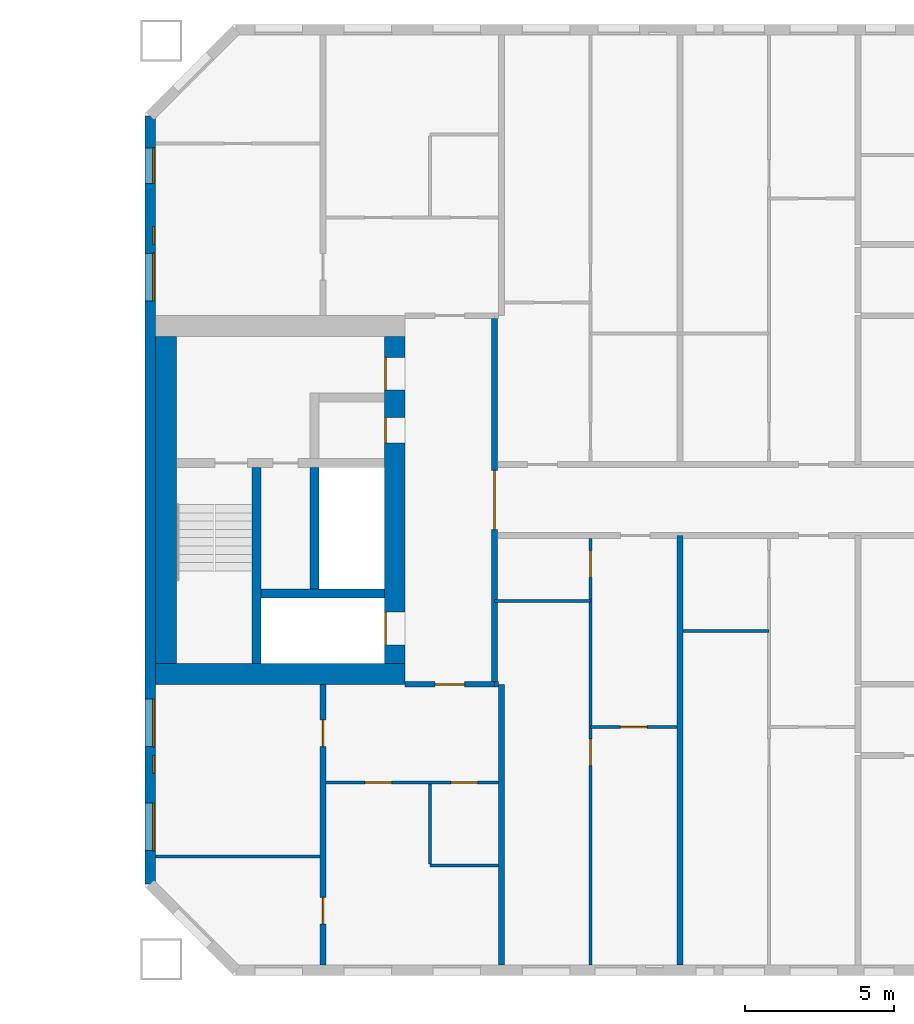
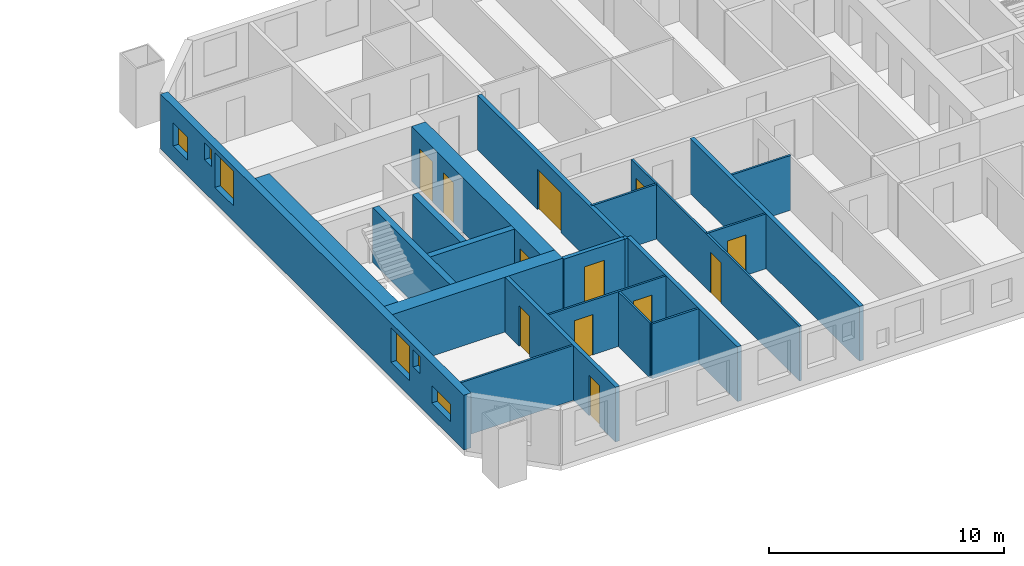
# One storey, part 9 of 17: 21 walls, 12 doors, 6 windows, 18 openings.
"""IFC4 building model written with IfcOpenShell, lengths in metres."""

from ifc_helpers import new_model, si_unit, direction, frame, frame_2d, origin, place, context, subcontext, project, spatial, rectangle, extrude, material, layer, layer_set, type_object, element, fill, save


model = new_model("IFC4")

# Units and contexts
model_context = context("Model", 3, precision=1e-05, world=origin(), true_north=direction((0.0, 1.0)))
body_context = subcontext(model_context, "Body", "Model", "MODEL_VIEW")
ifc_project = project(units=[si_unit("LENGTHUNIT", "METRE"), si_unit("AREAUNIT", "SQUARE_METRE"), si_unit("VOLUMEUNIT", "CUBIC_METRE"), si_unit("PLANEANGLEUNIT", "RADIAN"), si_unit("MASSUNIT", "GRAM", prefix="KILO")], contexts=[model_context])

# Site, building, storey
site_placement = place(None, origin())
site = spatial("IfcSite", under=ifc_project, at=site_placement, CompositionType="ELEMENT")
building_placement = place(site_placement, origin())
building = spatial("IfcBuilding", under=site, at=building_placement, Name="Tuart Gate Housing", CompositionType="ELEMENT")
storey_placement = place(building_placement, frame((0.0, 0.0, 84.0)))
storey = spatial("IfcBuildingStorey", under=building, at=storey_placement, Name="L23", CompositionType="ELEMENT", Elevation=84.0)

# Wall, openings, windows
ifc_material_1 = material(Name="Brick", Category="masonry")
ifc_layer_1 = layer(ifc_material_1, 0.360107421875)
ifc_layer_set_1 = layer_set([ifc_layer_1], Name="Brick pier and spandrel wall 360")
wall_type_1 = type_object("IfcWallType", Name="Brick pier and spandrel wall 360", PredefinedType="STANDARD", material=ifc_layer_set_1)
wall_1_placement = place(storey_placement, frame((131.179931640625, 82.92529296875, 0.0), z_axis=(0.0, 0.0, 1.0), x_axis=(0.0, -1.0, 0.0)))
wall_1 = element("IfcWall", 1, at=wall_1_placement, inside=storey, type_object=wall_type_1, Name="External wall B-W L23", PredefinedType="STANDARD", context=body_context, shape_type="SweptSolid", body=[
    extrude(rectangle(XDim=25.850830078125, YDim=0.360107421875, at=frame_2d((12.92529296875, 0.0))), origin(), (0.0, 0.0, 1.0), 2.85009765625),
])
opening_1_placement = place(wall_1_placement, frame((1.075439453125, 0.0, 0.800048828125)))
opening_1 = element("IfcOpeningElement", 2, at=opening_1_placement, cuts=wall_1, Name="Opening W1N", PredefinedType="OPENING", context=body_context, shape_type="SweptSolid", body=[
    extrude(rectangle(XDim=1.199951171875, YDim=1.199951171875, at=frame_2d((0.60009765625, 0.60009765625))), frame((0.0, 0.18994140625, 0.0), z_axis=(0.0, -1.0, 0.0), x_axis=(1.0, 0.0, 0.0)), (0.0, 0.0, 1.0), 0.380126953125),
])
opening_2_placement = place(wall_1_placement, frame((4.62548828125, 0.0, 0.800048828125)))
opening_2 = element("IfcOpeningElement", 3, at=opening_2_placement, cuts=wall_1, Name="Opening W1", PredefinedType="OPENING", context=body_context, shape_type="SweptSolid", body=[
    extrude(rectangle(XDim=1.60009765625, YDim=1.800048828125, at=frame_2d((0.800048828125, 0.89990234375))), frame((0.0, 0.18994140625, 0.0), z_axis=(0.0, -1.0, 0.0), x_axis=(1.0, 0.0, 0.0)), (0.0, 0.0, 1.0), 0.380126953125),
])
opening_3_placement = place(wall_1_placement, frame((19.62548828125, 0.0, 0.800048828125)))
opening_3 = element("IfcOpeningElement", 4, at=opening_3_placement, cuts=wall_1, Name="Opening W1", PredefinedType="OPENING", context=body_context, shape_type="SweptSolid", body=[
    extrude(rectangle(XDim=1.60009765625, YDim=1.800048828125, at=frame_2d((0.800048828125, 0.89990234375))), frame((0.0, 0.18994140625, 0.0), z_axis=(0.0, -1.0, 0.0), x_axis=(1.0, 0.0, 0.0)), (0.0, 0.0, 1.0), 0.380126953125),
])
opening_4_placement = place(wall_1_placement, frame((21.525390625, 0.0, 1.699951171875)))
opening_4 = element("IfcOpeningElement", 5, at=opening_4_placement, cuts=wall_1, Name="Opening W1W", PredefinedType="OPENING", context=body_context, shape_type="SweptSolid", body=[
    extrude(rectangle(XDim=0.60009765625, YDim=0.89990234375, at=frame_2d((0.300048828125, 0.449951171875))), frame((0.0, 0.18994140625, 0.0), z_axis=(0.0, -1.0, 0.0), x_axis=(1.0, 0.0, 0.0)), (0.0, 0.0, 1.0), 0.380126953125),
])
opening_5_placement = place(wall_1_placement, frame((3.725341796875, 0.0, 1.699951171875)))
opening_5 = element("IfcOpeningElement", 6, at=opening_5_placement, cuts=wall_1, Name="Opening W1W", PredefinedType="OPENING", context=body_context, shape_type="SweptSolid", body=[
    extrude(rectangle(XDim=0.60009765625, YDim=0.89990234375, at=frame_2d((0.300048828125, 0.449951171875))), frame((0.0, 0.18994140625, 0.0), z_axis=(0.0, -1.0, 0.0), x_axis=(1.0, 0.0, 0.0)), (0.0, 0.0, 1.0), 0.380126953125),
])
opening_6_placement = place(wall_1_placement, frame((23.12548828125, 0.0, 0.800048828125)))
opening_6 = element("IfcOpeningElement", 7, at=opening_6_placement, cuts=wall_1, Name="Opening W1R", PredefinedType="OPENING", context=body_context, shape_type="SweptSolid", body=[
    extrude(rectangle(XDim=1.60009765625, YDim=0.89990234375, at=frame_2d((0.800048828125, 0.449951171875))), frame((0.0, 0.18994140625, 0.0), z_axis=(0.0, -1.0, 0.0), x_axis=(1.0, 0.0, 0.0)), (0.0, 0.0, 1.0), 0.380126953125),
])
ifc_material_2 = material(Name="Aluminium frame with clear glass", Category="aluminium")
window_type_1 = type_object("IfcWindowType", Name="Punched window 1200 x 1200", PartitioningType="SINGLE_PANEL", PredefinedType="WINDOW", material=ifc_material_2)
window_1_placement = place(opening_1_placement, origin())
window_1 = element("IfcWindow", 8, at=window_1_placement, inside=storey, type_object=window_type_1, Name="Window W1N", OverallHeight=1.199951171875, OverallWidth=1.199951171875, PartitioningType="SINGLE_PANEL", PredefinedType="WINDOW", context=body_context, shape_type="SweptSolid", body=[
    extrude(rectangle(XDim=1.199951171875, YDim=1.199951171875, at=frame_2d((0.60009765625, 0.60009765625))), frame((0.0, 0.150146484375, 0.0), z_axis=(0.0, -1.0, 0.0), x_axis=(1.0, 0.0, 0.0)), (0.0, 0.0, 1.0), 0.06005859375),
])
fill(opening_1, window_1)
ifc_material_3 = material(Name="Aluminium frame with clear glass", Category="aluminium")
window_type_2 = type_object("IfcWindowType", Name="Punched window 1600 x 1800", PartitioningType="SINGLE_PANEL", PredefinedType="WINDOW", material=ifc_material_3)
window_2_placement = place(opening_2_placement, origin())
window_2 = element("IfcWindow", 9, at=window_2_placement, inside=storey, type_object=window_type_2, Name="Window W1", OverallHeight=1.800048828125, OverallWidth=1.60009765625, PartitioningType="SINGLE_PANEL", PredefinedType="WINDOW", context=body_context, shape_type="SweptSolid", body=[
    extrude(rectangle(XDim=1.60009765625, YDim=1.800048828125, at=frame_2d((0.800048828125, 0.89990234375))), frame((0.0, 0.150146484375, 0.0), z_axis=(0.0, -1.0, 0.0), x_axis=(1.0, 0.0, 0.0)), (0.0, 0.0, 1.0), 0.06005859375),
])
fill(opening_2, window_2)
window_3_placement = place(opening_3_placement, origin())
window_3 = element("IfcWindow", 10, at=window_3_placement, inside=storey, type_object=window_type_2, Name="Window W1", OverallHeight=1.800048828125, OverallWidth=1.60009765625, PartitioningType="SINGLE_PANEL", PredefinedType="WINDOW", context=body_context, shape_type="SweptSolid", body=[
    extrude(rectangle(XDim=1.60009765625, YDim=1.800048828125, at=frame_2d((0.800048828125, 0.89990234375))), frame((0.0, 0.150146484375, 0.0), z_axis=(0.0, -1.0, 0.0), x_axis=(1.0, 0.0, 0.0)), (0.0, 0.0, 1.0), 0.06005859375),
])
fill(opening_3, window_3)
ifc_material_4 = material(Name="Aluminium frame with clear glass", Category="aluminium")
window_type_3 = type_object("IfcWindowType", Name="Punched window 1600 x 900", PartitioningType="SINGLE_PANEL", PredefinedType="WINDOW", material=ifc_material_4)
window_4_placement = place(opening_6_placement, origin())
window_4 = element("IfcWindow", 11, at=window_4_placement, inside=storey, type_object=window_type_3, Name="Window W1R", OverallHeight=0.89990234375, OverallWidth=1.60009765625, PartitioningType="SINGLE_PANEL", PredefinedType="WINDOW", context=body_context, shape_type="SweptSolid", body=[
    extrude(rectangle(XDim=1.60009765625, YDim=0.89990234375, at=frame_2d((0.800048828125, 0.449951171875))), frame((0.0, 0.150146484375, 0.0), z_axis=(0.0, -1.0, 0.0), x_axis=(1.0, 0.0, 0.0)), (0.0, 0.0, 1.0), 0.06005859375),
])
fill(opening_6, window_4)
ifc_material_5 = material(Name="Aluminium frame with clear glass", Category="aluminium")
window_type_4 = type_object("IfcWindowType", Name="Punched window 600 x 900", PartitioningType="SINGLE_PANEL", PredefinedType="WINDOW", material=ifc_material_5)
window_5_placement = place(opening_4_placement, origin())
window_5 = element("IfcWindow", 12, at=window_5_placement, inside=storey, type_object=window_type_4, Name="Window W1W", OverallHeight=0.89990234375, OverallWidth=0.60009765625, PartitioningType="SINGLE_PANEL", PredefinedType="WINDOW", context=body_context, shape_type="SweptSolid", body=[
    extrude(rectangle(XDim=0.60009765625, YDim=0.89990234375, at=frame_2d((0.300048828125, 0.449951171875))), frame((0.0, 0.150146484375, 0.0), z_axis=(0.0, -1.0, 0.0), x_axis=(1.0, 0.0, 0.0)), (0.0, 0.0, 1.0), 0.06005859375),
])
fill(opening_4, window_5)
window_6_placement = place(opening_5_placement, origin())
window_6 = element("IfcWindow", 13, at=window_6_placement, inside=storey, type_object=window_type_4, Name="Window W1W", OverallHeight=0.89990234375, OverallWidth=0.60009765625, PartitioningType="SINGLE_PANEL", PredefinedType="WINDOW", context=body_context, shape_type="SweptSolid", body=[
    extrude(rectangle(XDim=0.60009765625, YDim=0.89990234375, at=frame_2d((0.300048828125, 0.449951171875))), frame((0.0, 0.150146484375, 0.0), z_axis=(0.0, -1.0, 0.0), x_axis=(1.0, 0.0, 0.0)), (0.0, 0.0, 1.0), 0.06005859375),
])
fill(opening_5, window_6)

# Walls
ifc_material_6 = material(Name="Concrete C50", Category="concrete")
ifc_layer_2 = layer(ifc_material_6, 0.300048828125)
ifc_layer_set_2 = layer_set([ifc_layer_2], Name="Core wall 300 C50")
wall_type_2 = type_object("IfcWallType", Name="Core wall 300 C50", PredefinedType="SHEAR", material=ifc_layer_set_2)
wall_2_placement = place(storey_placement, frame((139.06005859375, 66.85009765625, 0.0), z_axis=(0.0, 0.0, 1.0), x_axis=(-1.0, 0.0, 0.0)))
element("IfcWall", 14, at=wall_2_placement, inside=storey, type_object=wall_type_2, Name="Core wall BG.1", PredefinedType="SHEAR", context=body_context, shape_type="SweptSolid", body=[
    extrude(rectangle(XDim=4.150146484375, YDim=0.300048828125, at=frame_2d((2.0751953125, 0.0))), origin(), (0.0, 0.0, 1.0), 2.85009765625),
])
wall_3_placement = place(storey_placement, frame((136.7099609375, 67.0, 0.0), z_axis=(0.0, 0.0, 1.0), x_axis=(0.0, 1.0, 0.0)))
element("IfcWall", 15, at=wall_3_placement, inside=storey, type_object=wall_type_2, Name="Core wall BG.4", PredefinedType="SHEAR", context=body_context, shape_type="SweptSolid", body=[
    extrude(rectangle(XDim=4.10009765625, YDim=0.300048828125, at=frame_2d((2.050048828125, 0.0))), origin(), (0.0, 0.0, 1.0), 2.85009765625),
])
wall_4_placement = place(storey_placement, frame((134.760009765625, 64.5, 0.0), z_axis=(0.0, 0.0, 1.0), x_axis=(0.0, 1.0, 0.0)))
element("IfcWall", 16, at=wall_4_placement, inside=storey, type_object=wall_type_2, Name="Core wall BG.6", PredefinedType="SHEAR", context=body_context, shape_type="SweptSolid", body=[
    extrude(rectangle(XDim=6.60009765625, YDim=0.300048828125, at=frame_2d((3.300048828125, 0.0))), origin(), (0.0, 0.0, 1.0), 2.85009765625),
])

# Wall, openings, doors
ifc_material_7 = material(Name="Concrete C50", Category="concrete")
ifc_layer_3 = layer(ifc_material_7, 0.699951171875)
ifc_layer_set_3 = layer_set([ifc_layer_3], Name="Core wall 700 C50")
wall_type_3 = type_object("IfcWallType", Name="Core wall 700 C50", PredefinedType="SHEAR", material=ifc_layer_set_3)
wall_5_placement = place(storey_placement, frame((139.409912109375, 64.5, 0.0), z_axis=(0.0, 0.0, 1.0), x_axis=(0.0, 1.0, 0.0)))
wall_5 = element("IfcWall", 17, at=wall_5_placement, inside=storey, type_object=wall_type_3, Name="Core wall BG front", PredefinedType="SHEAR", context=body_context, shape_type="SweptSolid", body=[
    extrude(rectangle(XDim=11.0, YDim=0.699951171875, at=frame_2d((5.5, 0.0))), origin(), (0.0, 0.0, 1.0), 2.85009765625),
])
opening_7_placement = place(wall_5_placement, frame((0.625, 0.0, 0.0)))
opening_7 = element("IfcOpeningElement", 18, at=opening_7_placement, cuts=wall_5, Name="Opening LD-FB1", PredefinedType="OPENING", context=body_context, shape_type="SweptSolid", body=[
    extrude(rectangle(XDim=1.10009765625, YDim=2.10009765625, at=frame_2d((0.550048828125, 1.050048828125))), frame((0.0, 0.35986328125, 0.0), z_axis=(0.0, -1.0, 0.0), x_axis=(1.0, 0.0, 0.0)), (0.0, 0.0, 1.0), 0.719970703125),
])
opening_8_placement = place(wall_5_placement, frame((9.199951171875, 0.0, 0.0)))
opening_8 = element("IfcOpeningElement", 19, at=opening_8_placement, cuts=wall_5, Name="Opening D1035", PredefinedType="OPENING", context=body_context, shape_type="SweptSolid", body=[
    extrude(rectangle(XDim=1.10009765625, YDim=2.10009765625, at=frame_2d((0.550048828125, 1.050048828125))), frame((0.0, 0.35986328125, 0.0), z_axis=(0.0, -1.0, 0.0), x_axis=(1.0, 0.0, 0.0)), (0.0, 0.0, 1.0), 0.719970703125),
])
opening_9_placement = place(wall_5_placement, frame((7.425048828125, 0.0, 0.0)))
opening_9 = element("IfcOpeningElement", 20, at=opening_9_placement, cuts=wall_5, Name="Opening D1036", PredefinedType="OPENING", context=body_context, shape_type="SweptSolid", body=[
    extrude(rectangle(XDim=0.85009765625, YDim=2.10009765625, at=frame_2d((0.425048828125, 1.050048828125))), frame((0.0, 0.35986328125, 0.0), z_axis=(0.0, -1.0, 0.0), x_axis=(1.0, 0.0, 0.0)), (0.0, 0.0, 1.0), 0.719970703125),
])
ifc_material_8 = material(Name="Stainless steel", Category="steel")
door_type_1 = type_object("IfcDoorType", Name="Landing door 1100 x 2100", OperationType="DOUBLE_DOOR_SLIDING", PredefinedType="DOOR", material=ifc_material_8)
door_1_placement = place(opening_7_placement, origin())
door_1 = element("IfcDoor", 21, at=door_1_placement, inside=storey, type_object=door_type_1, Name="Lift landing door FB1", OperationType="DOUBLE_DOOR_SLIDING", OverallHeight=2.10009765625, OverallWidth=1.10009765625, PredefinedType="DOOR", context=body_context, shape_type="SweptSolid", body=[
    extrude(rectangle(XDim=1.10009765625, YDim=2.10009765625, at=frame_2d((0.550048828125, 1.050048828125))), frame((0.0, 0.3349609375, 0.0), z_axis=(0.0, -1.0, 0.0), x_axis=(1.0, 0.0, 0.0)), (0.0, 0.0, 1.0), 0.050048828125),
])
fill(opening_7, door_1)
ifc_material_9 = material(Name="Steel fire door", Category="steel")
door_type_2 = type_object("IfcDoorType", Name="Lobby door 1100 x 2100", OperationType="SINGLE_SWING_LEFT", PredefinedType="DOOR", material=ifc_material_9)
door_2_placement = place(opening_8_placement, origin())
door_2 = element("IfcDoor", 22, at=door_2_placement, inside=storey, type_object=door_type_2, Name="Lobby entry door BG.EN", OperationType="SINGLE_SWING_LEFT", OverallHeight=2.10009765625, OverallWidth=1.10009765625, PredefinedType="DOOR", context=body_context, shape_type="SweptSolid", body=[
    extrude(rectangle(XDim=1.10009765625, YDim=2.10009765625, at=frame_2d((0.550048828125, 1.050048828125))), frame((0.0, 0.3349609375, 0.0), z_axis=(0.0, -1.0, 0.0), x_axis=(1.0, 0.0, 0.0)), (0.0, 0.0, 1.0), 0.050048828125),
])
fill(opening_8, door_2)
ifc_material_10 = material(Name="Steel fire door", Category="steel")
door_type_3 = type_object("IfcDoorType", Name="Service door 850 x 2100", OperationType="SINGLE_SWING_LEFT", PredefinedType="DOOR", material=ifc_material_10)
door_3_placement = place(opening_9_placement, origin())
door_3 = element("IfcDoor", 23, at=door_3_placement, inside=storey, type_object=door_type_3, Name="Service room door BG.T1", OperationType="SINGLE_SWING_LEFT", OverallHeight=2.10009765625, OverallWidth=0.85009765625, PredefinedType="DOOR", context=body_context, shape_type="SweptSolid", body=[
    extrude(rectangle(XDim=0.85009765625, YDim=2.10009765625, at=frame_2d((0.425048828125, 1.050048828125))), frame((0.0, 0.3349609375, 0.0), z_axis=(0.0, -1.0, 0.0), x_axis=(1.0, 0.0, 0.0)), (0.0, 0.0, 1.0), 0.050048828125),
])
fill(opening_9, door_3)

# Walls
wall_6_placement = place(storey_placement, frame((131.7099609375, 64.5, 0.0), z_axis=(0.0, 0.0, 1.0), x_axis=(0.0, 1.0, 0.0)))
element("IfcWall", 24, at=wall_6_placement, inside=storey, type_object=wall_type_3, Name="Core wall BG back", PredefinedType="SHEAR", context=body_context, shape_type="SweptSolid", body=[
    extrude(rectangle(XDim=11.0, YDim=0.699951171875, at=frame_2d((5.5, 0.0))), origin(), (0.0, 0.0, 1.0), 2.85009765625),
])
wall_7_placement = place(storey_placement, frame((139.760009765625, 64.14990234375, 0.0), z_axis=(0.0, 0.0, 1.0), x_axis=(-1.0, 0.0, 0.0)))
element("IfcWall", 25, at=wall_7_placement, inside=storey, type_object=wall_type_3, Name="Core wall BG south", PredefinedType="SHEAR", context=body_context, shape_type="SweptSolid", body=[
    extrude(rectangle(XDim=8.39990234375, YDim=0.699951171875, at=frame_2d((4.199951171875, 0.0))), origin(), (0.0, 0.0, 1.0), 2.85009765625),
])

# Wall, opening, door
ifc_material_11 = material(Name="Concrete masonry 15 MPa", Category="masonry")
ifc_layer_4 = layer(ifc_material_11, 0.199951171875)
ifc_layer_set_4 = layer_set([ifc_layer_4], Name="Enclosure wall masonry 200")
wall_type_4 = type_object("IfcWallType", Name="Enclosure wall masonry 200", PredefinedType="PARTITIONING", material=ifc_layer_set_4)
wall_8_placement = place(storey_placement, frame((139.760009765625, 63.800048828125, 0.0), z_axis=(0.0, 0.0, 1.0), x_axis=(1.0, 0.0, 0.0)))
wall_8 = element("IfcWall", 26, at=wall_8_placement, inside=storey, type_object=wall_type_4, Name="Enclosure wall masonry 200", PredefinedType="PARTITIONING", context=body_context, shape_type="SweptSolid", body=[
    extrude(rectangle(XDim=3.0, YDim=0.199951171875, at=frame_2d((1.5, 0.0))), origin(), (0.0, 0.0, 1.0), 2.85009765625),
])
opening_10_placement = place(wall_8_placement, frame((1.0, 0.0, 0.0)))
opening_10 = element("IfcOpeningElement", 27, at=opening_10_placement, cuts=wall_8, Name="Opening D1048", PredefinedType="OPENING", context=body_context, shape_type="SweptSolid", body=[
    extrude(rectangle(XDim=1.0, YDim=2.10009765625, at=frame_2d((0.5, 1.050048828125))), frame((0.0, 0.10986328125, 0.0), z_axis=(0.0, -1.0, 0.0), x_axis=(1.0, 0.0, 0.0)), (0.0, 0.0, 1.0), 0.219970703125),
])
ifc_material_12 = material(Name="Timber door leaf in steel frame", Category="steel")
door_type_4 = type_object("IfcDoorType", Name="Flat entrance door 1000", OperationType="SINGLE_SWING_LEFT", PredefinedType="DOOR", material=ifc_material_12)
door_4_placement = place(opening_10_placement, frame((1.0, 0.0, 0.0), z_axis=(0.0, 0.0, 1.0), x_axis=(-1.0, 0.0, 0.0)))
door_4 = element("IfcDoor", 28, at=door_4_placement, inside=storey, type_object=door_type_4, Name="Flat entrance door", OperationType="SINGLE_SWING_LEFT", OverallHeight=2.10009765625, OverallWidth=1.0, PredefinedType="DOOR", context=body_context, shape_type="SweptSolid", body=[
    extrude(rectangle(XDim=1.0, YDim=2.10009765625, at=frame_2d((0.5, 1.050048828125))), frame((0.0, 0.025146484375, 0.0), z_axis=(0.0, -1.0, 0.0), x_axis=(1.0, 0.0, 0.0)), (0.0, 0.0, 1.0), 0.050048828125),
])
fill(opening_10, door_4)

ifc_material_13 = material(Name="Plasterboard partition")
ifc_layer_5 = layer(ifc_material_13, 0.199951171875)
ifc_layer_set_5 = layer_set([ifc_layer_5], Name="Lobby wall 200")
wall_type_5 = type_object("IfcWallType", Name="Lobby wall 200", PredefinedType="PARTITIONING", material=ifc_layer_set_5)
wall_9_placement = place(storey_placement, frame((142.760009765625, 63.89990234375, 0.0), z_axis=(0.0, 0.0, 1.0), x_axis=(0.0, 1.0, 0.0)))
wall_9 = element("IfcWall", 29, at=wall_9_placement, inside=storey, type_object=wall_type_5, Name="Lift lobby wall BG", PredefinedType="PARTITIONING", context=body_context, shape_type="SweptSolid", body=[
    extrude(rectangle(XDim=12.2001953125, YDim=0.199951171875, at=frame_2d((6.10009765625, 0.0))), origin(), (0.0, 0.0, 1.0), 2.85009765625),
])
opening_11_placement = place(wall_9_placement, frame((5.10009765625, 0.0, 0.0)))
opening_11 = element("IfcOpeningElement", 30, at=opening_11_placement, cuts=wall_9, Name="Opening D1037", PredefinedType="OPENING", context=body_context, shape_type="SweptSolid", body=[
    extrude(rectangle(XDim=2.0, YDim=2.10009765625, at=frame_2d((1.0, 1.050048828125))), frame((0.0, 0.10986328125, 0.0), z_axis=(0.0, -1.0, 0.0), x_axis=(1.0, 0.0, 0.0)), (0.0, 0.0, 1.0), 0.219970703125),
])
ifc_material_14 = material(Name="Steel fire door", Category="steel")
door_type_5 = type_object("IfcDoorType", Name="Smoke door 2000 x 2100", OperationType="DOUBLE_DOOR_SINGLE_SWING", PredefinedType="DOOR", material=ifc_material_14)
door_5_placement = place(opening_11_placement, origin())
door_5 = element("IfcDoor", 31, at=door_5_placement, inside=storey, type_object=door_type_5, Name="Lift lobby smoke door BG", OperationType="DOUBLE_DOOR_SINGLE_SWING", OverallHeight=2.10009765625, OverallWidth=2.0, PredefinedType="DOOR", context=body_context, shape_type="SweptSolid", body=[
    extrude(rectangle(XDim=2.0, YDim=2.10009765625, at=frame_2d((1.0, 1.050048828125))), frame((0.0, 0.02490234375, 0.0), z_axis=(0.0, -1.0, 0.0), x_axis=(1.0, 0.0, 0.0)), (0.0, 0.0, 1.0), 0.050048828125),
])
fill(opening_11, door_5)

# Walls
ifc_material_15 = material(Name="Gypsum board on steel studs", Category="steel")
ifc_layer_6 = layer(ifc_material_15, 0.10009765625)
ifc_layer_set_6 = layer_set([ifc_layer_6], Name="Partition 100")
wall_type_6 = type_object("IfcWallType", Name="Partition 100", PredefinedType="PARTITIONING", material=ifc_layer_set_6)
wall_10_placement = place(storey_placement, frame((140.60009765625, 57.699951171875, 0.0), z_axis=(0.0, 0.0, 1.0), x_axis=(1.0, 0.0, 0.0)))
element("IfcWall", 32, at=wall_10_placement, inside=storey, type_object=wall_type_6, Name="Partition 100", PredefinedType="PARTITIONING", context=body_context, shape_type="SweptSolid", body=[
    extrude(rectangle(XDim=2.2998046875, YDim=0.10009765625, at=frame_2d((1.14990234375, 0.0))), origin(), (0.0, 0.0, 1.0), 2.85009765625),
])
wall_11_placement = place(storey_placement, frame((131.360107421875, 58.0, 0.0), z_axis=(0.0, 0.0, 1.0), x_axis=(1.0, 0.0, 0.0)))
element("IfcWall", 33, at=wall_11_placement, inside=storey, type_object=wall_type_6, Name="Partition 100", PredefinedType="PARTITIONING", context=body_context, shape_type="SweptSolid", body=[
    extrude(rectangle(XDim=5.539794921875, YDim=0.10009765625, at=frame_2d((2.77001953125, 0.0))), origin(), (0.0, 0.0, 1.0), 2.85009765625),
])

# Wall, openings, doors
wall_12_placement = place(storey_placement, frame((137.10009765625, 60.5, 0.0), z_axis=(0.0, 0.0, 1.0), x_axis=(1.0, 0.0, 0.0)))
wall_12 = element("IfcWall", 34, at=wall_12_placement, inside=storey, type_object=wall_type_6, Name="Partition 100", PredefinedType="PARTITIONING", context=body_context, shape_type="SweptSolid", body=[
    extrude(rectangle(XDim=5.7998046875, YDim=0.10009765625, at=frame_2d((2.89990234375, 0.0))), origin(), (0.0, 0.0, 1.0), 2.85009765625),
])
opening_12_placement = place(wall_12_placement, frame((1.300048828125, 0.0, 0.0)))
opening_12 = element("IfcOpeningElement", 35, at=opening_12_placement, cuts=wall_12, Name="Opening D1060", PredefinedType="OPENING", context=body_context, shape_type="SweptSolid", body=[
    extrude(rectangle(XDim=0.89990234375, YDim=2.10009765625, at=frame_2d((0.449951171875, 1.050048828125))), frame((0.0, 0.06005859375, 0.0), z_axis=(0.0, -1.0, 0.0), x_axis=(1.0, 0.0, 0.0)), (0.0, 0.0, 1.0), 0.1201171875),
])
opening_13_placement = place(wall_12_placement, frame((4.199951171875, 0.0, 0.0)))
opening_13 = element("IfcOpeningElement", 36, at=opening_13_placement, cuts=wall_12, Name="Opening D1059", PredefinedType="OPENING", context=body_context, shape_type="SweptSolid", body=[
    extrude(rectangle(XDim=0.89990234375, YDim=2.10009765625, at=frame_2d((0.449951171875, 1.050048828125))), frame((0.0, 0.06005859375, 0.0), z_axis=(0.0, -1.0, 0.0), x_axis=(1.0, 0.0, 0.0)), (0.0, 0.0, 1.0), 0.1201171875),
])
ifc_material_16 = material(Name="Timber door leaf in steel frame", Category="steel")
door_type_6 = type_object("IfcDoorType", Name="Bathroom door 900 RH", OperationType="SINGLE_SWING_RIGHT", PredefinedType="DOOR", material=ifc_material_16)
door_6_placement = place(opening_13_placement, frame((0.89990234375, 0.0, 0.0), z_axis=(0.0, 0.0, 1.0), x_axis=(-1.0, 0.0, 0.0)))
door_6 = element("IfcDoor", 37, at=door_6_placement, inside=storey, type_object=door_type_6, Name="Bathroom door", OperationType="SINGLE_SWING_RIGHT", OverallHeight=2.10009765625, OverallWidth=0.89990234375, PredefinedType="DOOR", context=body_context, shape_type="SweptSolid", body=[
    extrude(rectangle(XDim=0.89990234375, YDim=2.10009765625, at=frame_2d((0.449951171875, 1.050048828125))), frame((0.0, 0.025146484375, 0.0), z_axis=(0.0, -1.0, 0.0), x_axis=(1.0, 0.0, 0.0)), (0.0, 0.0, 1.0), 0.050048828125),
])
fill(opening_13, door_6)
ifc_material_17 = material(Name="Timber door leaf in steel frame", Category="steel")
door_type_7 = type_object("IfcDoorType", Name="Internal door 900", OperationType="SINGLE_SWING_LEFT", PredefinedType="DOOR", material=ifc_material_17)
door_7_placement = place(opening_12_placement, origin())
door_7 = element("IfcDoor", 38, at=door_7_placement, inside=storey, type_object=door_type_7, Name="Internal door", OperationType="SINGLE_SWING_LEFT", OverallHeight=2.10009765625, OverallWidth=0.89990234375, PredefinedType="DOOR", context=body_context, shape_type="SweptSolid", body=[
    extrude(rectangle(XDim=0.89990234375, YDim=2.10009765625, at=frame_2d((0.449951171875, 1.050048828125))), frame((0.0, 0.02490234375, 0.0), z_axis=(0.0, -1.0, 0.0), x_axis=(1.0, 0.0, 0.0)), (0.0, 0.0, 1.0), 0.050048828125),
])
fill(opening_12, door_7)

# Wall, opening, door
wall_13_placement = place(storey_placement, frame((146.0, 62.360107421875, 0.0), z_axis=(0.0, 0.0, 1.0), x_axis=(1.0, 0.0, 0.0)))
wall_13 = element("IfcWall", 39, at=wall_13_placement, inside=storey, type_object=wall_type_6, Name="Partition 100", PredefinedType="PARTITIONING", context=body_context, shape_type="SweptSolid", body=[
    extrude(rectangle(XDim=2.89990234375, YDim=0.10009765625, at=frame_2d((1.449951171875, 0.0))), origin(), (0.0, 0.0, 1.0), 2.85009765625),
])
opening_14_placement = place(wall_13_placement, frame((1.0, 0.0, 0.0)))
opening_14 = element("IfcOpeningElement", 40, at=opening_14_placement, cuts=wall_13, Name="Opening D1050", PredefinedType="OPENING", context=body_context, shape_type="SweptSolid", body=[
    extrude(rectangle(XDim=0.89990234375, YDim=2.10009765625, at=frame_2d((0.449951171875, 1.050048828125))), frame((0.0, 0.06005859375, 0.0), z_axis=(0.0, -1.0, 0.0), x_axis=(1.0, 0.0, 0.0)), (0.0, 0.0, 1.0), 0.1201171875),
])
door_8_placement = place(opening_14_placement, origin())
door_8 = element("IfcDoor", 41, at=door_8_placement, inside=storey, type_object=door_type_7, Name="Internal door", OperationType="SINGLE_SWING_LEFT", OverallHeight=2.10009765625, OverallWidth=0.89990234375, PredefinedType="DOOR", context=body_context, shape_type="SweptSolid", body=[
    extrude(rectangle(XDim=0.89990234375, YDim=2.10009765625, at=frame_2d((0.449951171875, 1.050048828125))), frame((0.0, 0.02490234375, 0.0), z_axis=(0.0, -1.0, 0.0), x_axis=(1.0, 0.0, 0.0)), (0.0, 0.0, 1.0), 0.050048828125),
])
fill(opening_14, door_8)

# Walls
wall_14_placement = place(storey_placement, frame((149.10009765625, 65.60009765625, 0.0), z_axis=(0.0, 0.0, 1.0), x_axis=(1.0, 0.0, 0.0)))
element("IfcWall", 42, at=wall_14_placement, inside=storey, type_object=wall_type_6, Name="Partition 100", PredefinedType="PARTITIONING", context=body_context, shape_type="SweptSolid", body=[
    extrude(rectangle(XDim=2.89990234375, YDim=0.10009765625, at=frame_2d((1.449951171875, 0.0))), origin(), (0.0, 0.0, 1.0), 2.85009765625),
])
wall_15_placement = place(storey_placement, frame((142.760009765625, 66.60009765625, 0.0), z_axis=(0.0, 0.0, 1.0), x_axis=(1.0, 0.0, 0.0)))
element("IfcWall", 43, at=wall_15_placement, inside=storey, type_object=wall_type_6, Name="Partition 100", PredefinedType="PARTITIONING", context=body_context, shape_type="SweptSolid", body=[
    extrude(rectangle(XDim=3.239990234375, YDim=0.10009765625, at=frame_2d((1.6201171875, 0.0))), origin(), (0.0, 0.0, 1.0), 2.85009765625),
])
wall_16_placement = place(storey_placement, frame((140.60009765625, 57.75, 0.0), z_axis=(0.0, 0.0, 1.0), x_axis=(0.0, 1.0, 0.0)))
element("IfcWall", 44, at=wall_16_placement, inside=storey, type_object=wall_type_6, Name="Partition 100", PredefinedType="PARTITIONING", context=body_context, shape_type="SweptSolid", body=[
    extrude(rectangle(XDim=2.699951171875, YDim=0.10009765625, at=frame_2d((1.35009765625, 0.0))), origin(), (0.0, 0.0, 1.0), 2.85009765625),
])

# Wall, openings, doors
wall_17_placement = place(storey_placement, frame((146.0, 54.360107421875, 0.0), z_axis=(0.0, 0.0, 1.0), x_axis=(0.0, 1.0, 0.0)))
wall_17 = element("IfcWall", 45, at=wall_17_placement, inside=storey, type_object=wall_type_6, Name="Partition 100", PredefinedType="PARTITIONING", context=body_context, shape_type="SweptSolid", body=[
    extrude(rectangle(XDim=14.33984375, YDim=0.10009765625, at=frame_2d((7.169921875, 0.0))), origin(), (0.0, 0.0, 1.0), 2.85009765625),
])
opening_15_placement = place(wall_17_placement, frame((6.699951171875, 0.0, 0.0)))
opening_15 = element("IfcOpeningElement", 46, at=opening_15_placement, cuts=wall_17, Name="Opening D1053", PredefinedType="OPENING", context=body_context, shape_type="SweptSolid", body=[
    extrude(rectangle(XDim=0.89990234375, YDim=2.10009765625, at=frame_2d((0.449951171875, 1.050048828125))), frame((0.0, 0.06005859375, 0.0), z_axis=(0.0, -1.0, 0.0), x_axis=(1.0, 0.0, 0.0)), (0.0, 0.0, 1.0), 0.1201171875),
])
opening_16_placement = place(wall_17_placement, frame((13.0400390625, 0.0, 0.0)))
opening_16 = element("IfcOpeningElement", 47, at=opening_16_placement, cuts=wall_17, Name="Opening D1052", PredefinedType="OPENING", context=body_context, shape_type="SweptSolid", body=[
    extrude(rectangle(XDim=0.89990234375, YDim=2.10009765625, at=frame_2d((0.449951171875, 1.050048828125))), frame((0.0, 0.06005859375, 0.0), z_axis=(0.0, -1.0, 0.0), x_axis=(1.0, 0.0, 0.0)), (0.0, 0.0, 1.0), 0.1201171875),
])
door_9_placement = place(opening_16_placement, origin())
door_9 = element("IfcDoor", 48, at=door_9_placement, inside=storey, type_object=door_type_6, Name="Bathroom door", OperationType="SINGLE_SWING_RIGHT", OverallHeight=2.10009765625, OverallWidth=0.89990234375, PredefinedType="DOOR", context=body_context, shape_type="SweptSolid", body=[
    extrude(rectangle(XDim=0.89990234375, YDim=2.10009765625, at=frame_2d((0.449951171875, 1.050048828125))), frame((0.0, 0.02490234375, 0.0), z_axis=(0.0, -1.0, 0.0), x_axis=(1.0, 0.0, 0.0)), (0.0, 0.0, 1.0), 0.050048828125),
])
fill(opening_16, door_9)
ifc_material_18 = material(Name="Timber door leaf in steel frame", Category="steel")
door_type_8 = type_object("IfcDoorType", Name="Internal door 900 RH", OperationType="SINGLE_SWING_RIGHT", PredefinedType="DOOR", material=ifc_material_18)
door_10_placement = place(opening_15_placement, origin())
door_10 = element("IfcDoor", 49, at=door_10_placement, inside=storey, type_object=door_type_8, Name="Internal door", OperationType="SINGLE_SWING_RIGHT", OverallHeight=2.10009765625, OverallWidth=0.89990234375, PredefinedType="DOOR", context=body_context, shape_type="SweptSolid", body=[
    extrude(rectangle(XDim=0.89990234375, YDim=2.10009765625, at=frame_2d((0.449951171875, 1.050048828125))), frame((0.0, 0.02490234375, 0.0), z_axis=(0.0, -1.0, 0.0), x_axis=(1.0, 0.0, 0.0)), (0.0, 0.0, 1.0), 0.050048828125),
])
fill(opening_15, door_10)

ifc_material_19 = material(Name="Concrete C40", Category="concrete")
ifc_layer_7 = layer(ifc_material_19, 0.199951171875)
ifc_layer_set_7 = layer_set([ifc_layer_7], Name="Party wall concrete C40 200")
wall_type_7 = type_object("IfcWallType", Name="Party wall concrete C40 200", PredefinedType="SOLIDWALL", material=ifc_layer_set_7)
wall_18_placement = place(storey_placement, frame((137.0, 54.360107421875, 0.0), z_axis=(0.0, 0.0, 1.0), x_axis=(0.0, 1.0, 0.0)))
wall_18 = element("IfcWall", 50, at=wall_18_placement, inside=storey, type_object=wall_type_7, Name="Party wall concrete C40 200", PredefinedType="SOLIDWALL", context=body_context, shape_type="SweptSolid", body=[
    extrude(rectangle(XDim=9.43994140625, YDim=0.199951171875, at=frame_2d((4.719970703125, 0.0))), origin(), (0.0, 0.0, 1.0), 2.85009765625),
])
opening_17_placement = place(wall_18_placement, frame((1.3701171875, 0.0, 0.0)))
opening_17 = element("IfcOpeningElement", 51, at=opening_17_placement, cuts=wall_18, Name="Opening D1064", PredefinedType="OPENING", context=body_context, shape_type="SweptSolid", body=[
    extrude(rectangle(XDim=0.89990234375, YDim=2.10009765625, at=frame_2d((0.449951171875, 1.050048828125))), frame((0.0, 0.10986328125, 0.0), z_axis=(0.0, -1.0, 0.0), x_axis=(1.0, 0.0, 0.0)), (0.0, 0.0, 1.0), 0.219970703125),
])
opening_18_placement = place(wall_18_placement, frame((7.340087890625, 0.0, 0.0)))
opening_18 = element("IfcOpeningElement", 52, at=opening_18_placement, cuts=wall_18, Name="Opening D1065", PredefinedType="OPENING", context=body_context, shape_type="SweptSolid", body=[
    extrude(rectangle(XDim=0.89990234375, YDim=2.10009765625, at=frame_2d((0.449951171875, 1.050048828125))), frame((0.0, 0.10986328125, 0.0), z_axis=(0.0, -1.0, 0.0), x_axis=(1.0, 0.0, 0.0)), (0.0, 0.0, 1.0), 0.219970703125),
])
door_11_placement = place(opening_17_placement, origin())
door_11 = element("IfcDoor", 53, at=door_11_placement, inside=storey, type_object=door_type_7, Name="Internal door", OperationType="SINGLE_SWING_LEFT", OverallHeight=2.10009765625, OverallWidth=0.89990234375, PredefinedType="DOOR", context=body_context, shape_type="SweptSolid", body=[
    extrude(rectangle(XDim=0.89990234375, YDim=2.10009765625, at=frame_2d((0.449951171875, 1.050048828125))), frame((0.0, 0.02490234375, 0.0), z_axis=(0.0, -1.0, 0.0), x_axis=(1.0, 0.0, 0.0)), (0.0, 0.0, 1.0), 0.050048828125),
])
fill(opening_17, door_11)
door_12_placement = place(opening_18_placement, origin())
door_12 = element("IfcDoor", 54, at=door_12_placement, inside=storey, type_object=door_type_8, Name="Internal door", OperationType="SINGLE_SWING_RIGHT", OverallHeight=2.10009765625, OverallWidth=0.89990234375, PredefinedType="DOOR", context=body_context, shape_type="SweptSolid", body=[
    extrude(rectangle(XDim=0.89990234375, YDim=2.10009765625, at=frame_2d((0.449951171875, 1.050048828125))), frame((0.0, 0.02490234375, 0.0), z_axis=(0.0, -1.0, 0.0), x_axis=(1.0, 0.0, 0.0)), (0.0, 0.0, 1.0), 0.050048828125),
])
fill(opening_18, door_12)

# Walls
wall_19_placement = place(storey_placement, frame((143.0, 54.360107421875, 0.0), z_axis=(0.0, 0.0, 1.0), x_axis=(0.0, 1.0, 0.0)))
element("IfcWall", 55, at=wall_19_placement, inside=storey, type_object=wall_type_7, Name="Party wall concrete C40 200", PredefinedType="SOLIDWALL", context=body_context, shape_type="SweptSolid", body=[
    extrude(rectangle(XDim=9.43994140625, YDim=0.199951171875, at=frame_2d((4.719970703125, 0.0))), origin(), (0.0, 0.0, 1.0), 2.85009765625),
])
wall_20_placement = place(storey_placement, frame((149.0, 54.360107421875, 0.0), z_axis=(0.0, 0.0, 1.0), x_axis=(0.0, 1.0, 0.0)))
element("IfcWall", 56, at=wall_20_placement, inside=storey, type_object=wall_type_7, Name="Party wall concrete C40 200", PredefinedType="SOLIDWALL", context=body_context, shape_type="SweptSolid", body=[
    extrude(rectangle(XDim=14.43994140625, YDim=0.199951171875, at=frame_2d((7.219970703125, 0.0))), origin(), (0.0, 0.0, 1.0), 2.85009765625),
])
ifc_material_20 = material(Name="Concrete masonry 15 MPa", Category="masonry")
ifc_layer_8 = layer(ifc_material_20, 0.199951171875)
ifc_layer_set_8 = layer_set([ifc_layer_8], Name="Party wall masonry 200")
wall_type_8 = type_object("IfcWallType", Name="Party wall masonry 200", PredefinedType="PARTITIONING", material=ifc_layer_set_8)
wall_21_placement = place(storey_placement, frame((142.760009765625, 63.800048828125, 0.0), z_axis=(0.0, 0.0, 1.0), x_axis=(1.0, 0.0, 0.0)))
element("IfcWall", 57, at=wall_21_placement, inside=storey, type_object=wall_type_8, Name="Party wall masonry 200", PredefinedType="PARTITIONING", context=body_context, shape_type="SweptSolid", body=[
    extrude(rectangle(XDim=0.139892578125, YDim=0.199951171875, at=frame_2d((0.06982421875, 0.0))), origin(), (0.0, 0.0, 1.0), 2.85009765625),
])

save(model, "model.ifc")
